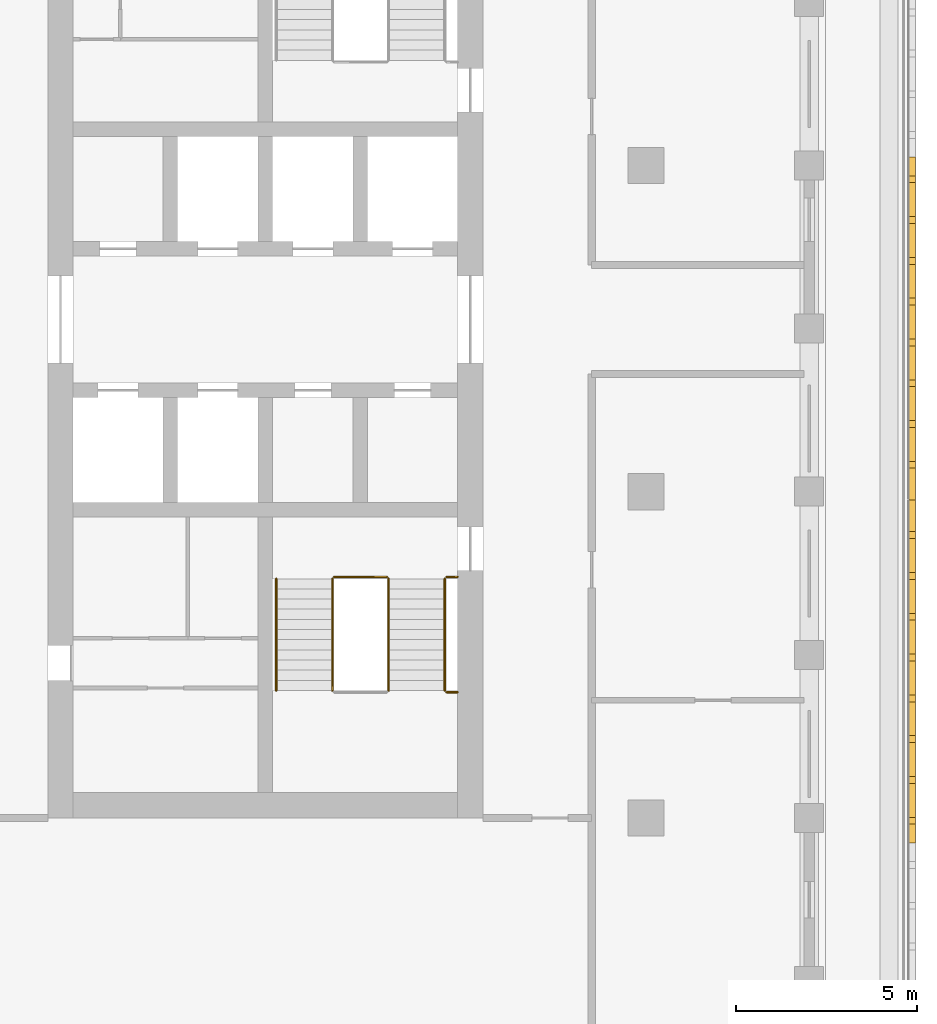
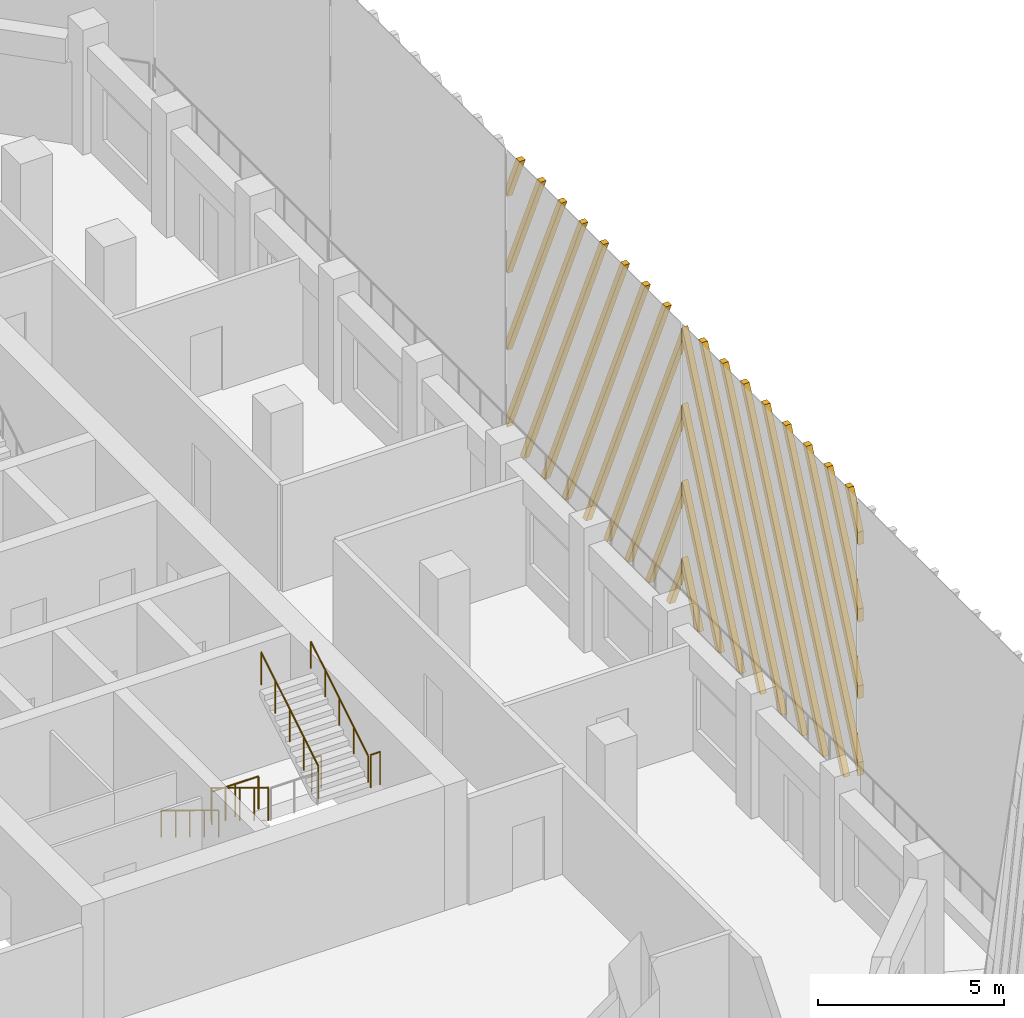
# One storey, part 12 of 17: 7 railings, 2 shading devices.
"""IFC4 building model written with IfcOpenShell, lengths in metres."""

from ifc_helpers import new_model, si_unit, direction, frame, origin, origin_2d, place, context, subcontext, project, spatial, polyline, circle, outline, extrude, source, transform, mapped, material, type_object, element, save


model = new_model("IFC4")

# Units and contexts
model_context = context("Model", 3, precision=1e-05, world=origin(), true_north=direction((0.0, 1.0)))
body_context = subcontext(model_context, "Body", "Model", "MODEL_VIEW")
ifc_project = project(units=[si_unit("LENGTHUNIT", "METRE"), si_unit("AREAUNIT", "SQUARE_METRE"), si_unit("VOLUMEUNIT", "CUBIC_METRE"), si_unit("PLANEANGLEUNIT", "RADIAN"), si_unit("MASSUNIT", "GRAM", prefix="KILO")], contexts=[model_context])

# Site, building, storey
site_placement = place(None, origin())
site = spatial("IfcSite", under=ifc_project, at=site_placement, CompositionType="ELEMENT")
building_placement = place(site_placement, origin())
building = spatial("IfcBuilding", under=site, at=building_placement, Name="Corbel Stack Research Tower", CompositionType="ELEMENT")
storey_placement = place(building_placement, frame((0.0, 0.0, 256.199951171875)))
storey = spatial("IfcBuildingStorey", under=building, at=storey_placement, Name="L58", CompositionType="ELEMENT", Elevation=256.199951171875)

# Railings
ifc_material_1 = material(Name="Steel S355", Category="steel")
railing_type_1 = type_object("IfcRailingType", Name="Stair guard 1100", PredefinedType="GUARDRAIL", material=ifc_material_1)
railing_1_placement = place(storey_placement, frame((13.85009765625, -2.39990234375, 0.1708984375)))
element("IfcRailing", 1, at=railing_1_placement, inside=storey, type_object=railing_type_1, Name="L58 ST-E1 stair guard 1", PredefinedType="GUARDRAIL", context=body_context, shape_type="SweptSolid", body=[
    extrude(circle(Radius=0.02392578125, at=origin_2d()), frame((0.0, 0.0, 1.076171875), z_axis=(0.0, -0.853666305674, 0.52082035152), x_axis=(1.0, 0.0, 0.0)), (0.0, 0.0, 1.0), 3.608154296875),
    extrude(circle(Radius=0.02099609375, at=origin_2d()), origin(), (0.0, 0.0, 1.0), 1.052001953125),
    extrude(circle(Radius=0.02099609375, at=origin_2d()), frame((0.0, -0.77001953125, 0.4697265625)), (0.0, 0.0, 1.0), 1.052001953125),
    extrude(circle(Radius=0.02099609375, at=origin_2d()), frame((0.0, -1.5400390625, 0.939453125)), (0.0, 0.0, 1.0), 1.052001953125),
    extrude(circle(Radius=0.02099609375, at=origin_2d()), frame((0.0, -2.31005859375, 1.409423828125)), (0.0, 0.0, 1.0), 1.052001953125),
    extrude(circle(Radius=0.02099609375, at=origin_2d()), frame((0.0, -3.080078125, 1.879150390625)), (0.0, 0.0, 1.0), 1.052001953125),
])
railing_2_placement = place(storey_placement, frame((17.0, -5.530029296875, 2.050048828125)))
element("IfcRailing", 2, at=railing_2_placement, inside=storey, type_object=railing_type_1, Name="L58 ST-E1 stair guard 3", PredefinedType="GUARDRAIL", context=body_context, shape_type="SweptSolid", body=[
    extrude(circle(Radius=0.02392578125, at=origin_2d()), frame((0.0, 0.0, 1.076171875), z_axis=(1.0, 0.0, 0.0), x_axis=(0.0, 1.0, 0.0)), (0.0, 0.0, 1.0), 0.300048828125),
    extrude(circle(Radius=0.02099609375, at=origin_2d()), origin(), (0.0, 0.0, 1.0), 1.052001953125),
    extrude(circle(Radius=0.02099609375, at=origin_2d()), frame((0.300048828125, 0.0, 0.0)), (0.0, 0.0, 1.0), 1.052001953125),
])
railing_3_placement = place(storey_placement, frame((15.39990234375, -5.47998046875, 2.220947265625)))
element("IfcRailing", 3, at=railing_3_placement, inside=storey, type_object=railing_type_1, Name="L58 ST-E1 stair guard 4", PredefinedType="GUARDRAIL", context=body_context, shape_type="SweptSolid", body=[
    extrude(circle(Radius=0.02392578125, at=origin_2d()), frame((0.0, 0.0, 1.076171875), z_axis=(0.0, 0.853666305674, 0.52082035152), x_axis=(-1.0, 0.0, 0.0)), (0.0, 0.0, 1.0), 3.608154296875),
    extrude(circle(Radius=0.02099609375, at=origin_2d()), origin(), (0.0, 0.0, 1.0), 1.052001953125),
    extrude(circle(Radius=0.02099609375, at=origin_2d()), frame((0.0, 0.77001953125, 0.4697265625)), (0.0, 0.0, 1.0), 1.052001953125),
    extrude(circle(Radius=0.02099609375, at=origin_2d()), frame((0.0, 1.5400390625, 0.939453125)), (0.0, 0.0, 1.0), 1.052001953125),
    extrude(circle(Radius=0.02099609375, at=origin_2d()), frame((0.0, 2.31005859375, 1.409423828125)), (0.0, 0.0, 1.0), 1.052001953125),
    extrude(circle(Radius=0.02099609375, at=origin_2d()), frame((0.0, 3.080078125, 1.879150390625)), (0.0, 0.0, 1.0), 1.052001953125),
])
railing_4_placement = place(storey_placement, frame((13.89990234375, -2.35009765625, 0.0)))
element("IfcRailing", 4, at=railing_4_placement, inside=storey, type_object=railing_type_1, Name="L58 ST-E1 stair guard 5", PredefinedType="GUARDRAIL", context=body_context, shape_type="SweptSolid", body=[
    extrude(circle(Radius=0.02392578125, at=origin_2d()), frame((0.0, 0.0, 1.076171875), z_axis=(1.0, 0.0, 0.0), x_axis=(0.0, 1.0, 0.0)), (0.0, 0.0, 1.0), 1.4501953125),
    extrude(circle(Radius=0.02099609375, at=origin_2d()), origin(), (0.0, 0.0, 1.0), 1.052001953125),
    extrude(circle(Radius=0.02099609375, at=origin_2d()), frame((0.72509765625, 0.0, 0.0)), (0.0, 0.0, 1.0), 1.052001953125),
    extrude(circle(Radius=0.02099609375, at=origin_2d()), frame((1.4501953125, 0.0, 0.0)), (0.0, 0.0, 1.0), 1.052001953125),
])
railing_5_placement = place(storey_placement, frame((17.0, -2.35009765625, 0.0)))
element("IfcRailing", 5, at=railing_5_placement, inside=storey, type_object=railing_type_1, Name="L58 ST-E1 stair guard 6", PredefinedType="GUARDRAIL", context=body_context, shape_type="SweptSolid", body=[
    extrude(circle(Radius=0.02392578125, at=origin_2d()), frame((0.0, 0.0, 1.076171875), z_axis=(1.0, 0.0, 0.0), x_axis=(0.0, 1.0, 0.0)), (0.0, 0.0, 1.0), 0.300048828125),
    extrude(circle(Radius=0.02099609375, at=origin_2d()), origin(), (0.0, 0.0, 1.0), 1.052001953125),
    extrude(circle(Radius=0.02099609375, at=origin_2d()), frame((0.300048828125, 0.0, 0.0)), (0.0, 0.0, 1.0), 1.052001953125),
])
ifc_material_2 = material(Name="Steel S355", Category="steel")
railing_type_2 = type_object("IfcRailingType", Name="Stair handrail 900", PredefinedType="HANDRAIL", material=ifc_material_2)
railing_6_placement = place(storey_placement, frame((12.300048828125, -2.39990234375, 0.1708984375)))
element("IfcRailing", 6, at=railing_6_placement, inside=storey, type_object=railing_type_2, Name="L58 ST-E1 stair handrail 1", PredefinedType="HANDRAIL", context=body_context, shape_type="SweptSolid", body=[
    extrude(circle(Radius=0.02392578125, at=origin_2d()), frame((0.0, 0.0, 0.8759765625), z_axis=(0.0, -0.853666305674, 0.52082035152), x_axis=(1.0, 0.0, 0.0)), (0.0, 0.0, 1.0), 3.608154296875),
    extrude(circle(Radius=0.02099609375, at=origin_2d()), origin(), (0.0, 0.0, 1.0), 0.851806640625),
    extrude(circle(Radius=0.02099609375, at=origin_2d()), frame((0.0, -0.77001953125, 0.4697265625)), (0.0, 0.0, 1.0), 0.851806640625),
    extrude(circle(Radius=0.02099609375, at=origin_2d()), frame((0.0, -1.5400390625, 0.939453125)), (0.0, 0.0, 1.0), 0.851806640625),
    extrude(circle(Radius=0.02099609375, at=origin_2d()), frame((0.0, -2.31005859375, 1.409423828125)), (0.0, 0.0, 1.0), 0.851806640625),
    extrude(circle(Radius=0.02099609375, at=origin_2d()), frame((0.0, -3.080078125, 1.879150390625)), (0.0, 0.0, 1.0), 0.851806640625),
])
railing_7_placement = place(storey_placement, frame((16.949951171875, -5.47998046875, 2.220947265625)))
element("IfcRailing", 7, at=railing_7_placement, inside=storey, type_object=railing_type_2, Name="L58 ST-E1 stair handrail 2", PredefinedType="HANDRAIL", context=body_context, shape_type="SweptSolid", body=[
    extrude(circle(Radius=0.02392578125, at=origin_2d()), frame((0.0, 0.0, 0.8759765625), z_axis=(0.0, 0.853666305674, 0.52082035152), x_axis=(-1.0, 0.0, 0.0)), (0.0, 0.0, 1.0), 3.608154296875),
    extrude(circle(Radius=0.02099609375, at=origin_2d()), origin(), (0.0, 0.0, 1.0), 0.851806640625),
    extrude(circle(Radius=0.02099609375, at=origin_2d()), frame((0.0, 0.77001953125, 0.4697265625)), (0.0, 0.0, 1.0), 0.851806640625),
    extrude(circle(Radius=0.02099609375, at=origin_2d()), frame((0.0, 1.5400390625, 0.939453125)), (0.0, 0.0, 1.0), 0.851806640625),
    extrude(circle(Radius=0.02099609375, at=origin_2d()), frame((0.0, 2.31005859375, 1.409423828125)), (0.0, 0.0, 1.0), 0.851806640625),
    extrude(circle(Radius=0.02099609375, at=origin_2d()), frame((0.0, 3.080078125, 1.879150390625)), (0.0, 0.0, 1.0), 0.851806640625),
])

# Shading devices
ifc_material_3 = material(Name="Precast terracotta", Category="masonry")
shading_device_type = type_object("IfcShadingDeviceType", Name="Terracotta screen panel", PredefinedType="USERDEFINED", material=ifc_material_3)
shared_shape_1 = source(origin(), body_context, "Body", "SweptSolid", [
    extrude(outline(polyline([(0.862060546875, 0.0), (0.0, 1.936279296875), (0.0, 1.509521484375), (0.672119140625, 0.0), (0.862060546875, 0.0)])), frame((0.0, 0.0, 0.0), z_axis=(0.0, -1.0, 0.0), x_axis=(1.0, 0.0, 0.0)), (0.0, 0.0, 1.0), 0.179931640625),
    extrude(outline(polyline([(1.987060546875, 0.0), (0.0, 4.463134765625), (0.0, 4.036376953125), (1.797119140625, 0.0), (1.987060546875, 0.0)])), frame((0.0, 0.0, 0.0), z_axis=(0.0, -1.0, 0.0), x_axis=(1.0, 0.0, 0.0)), (0.0, 0.0, 1.0), 0.179931640625),
    extrude(outline(polyline([(3.112060546875, 0.0), (0.0, 6.989990234375), (0.0, 6.563232421875), (2.922119140625, 0.0), (3.112060546875, 0.0)])), frame((0.0, 0.0, 0.0), z_axis=(0.0, -1.0, 0.0), x_axis=(1.0, 0.0, 0.0)), (0.0, 0.0, 1.0), 0.179931640625),
    extrude(outline(polyline([(4.237060546875, 0.0), (0.0, 9.516845703125), (0.0, 9.090087890625), (4.047119140625, 0.0), (4.237060546875, 0.0)])), frame((0.0, 0.0, 0.0), z_axis=(0.0, -1.0, 0.0), x_axis=(1.0, 0.0, 0.0)), (0.0, 0.0, 1.0), 0.179931640625),
    extrude(outline(polyline([(5.362060546875, 0.0), (1.065673828125, 9.64990234375), (0.875732421875, 9.64990234375), (5.172119140625, 0.0), (5.362060546875, 0.0)])), frame((0.0, 0.0, 0.0), z_axis=(0.0, -1.0, 0.0), x_axis=(1.0, 0.0, 0.0)), (0.0, 0.0, 1.0), 0.179931640625),
    extrude(outline(polyline([(6.487060546875, 0.0), (2.190673828125, 9.64990234375), (2.000732421875, 9.64990234375), (6.297119140625, 0.0), (6.487060546875, 0.0)])), frame((0.0, 0.0, 0.0), z_axis=(0.0, -1.0, 0.0), x_axis=(1.0, 0.0, 0.0)), (0.0, 0.0, 1.0), 0.179931640625),
    extrude(outline(polyline([(7.612060546875, 0.0), (3.315673828125, 9.64990234375), (3.125732421875, 9.64990234375), (7.422119140625, 0.0), (7.612060546875, 0.0)])), frame((0.0, 0.0, 0.0), z_axis=(0.0, -1.0, 0.0), x_axis=(1.0, 0.0, 0.0)), (0.0, 0.0, 1.0), 0.179931640625),
    extrude(outline(polyline([(8.737060546875, 0.0), (4.440673828125, 9.64990234375), (4.250732421875, 9.64990234375), (8.547119140625, 0.0), (8.737060546875, 0.0)])), frame((0.0, 0.0, 0.0), z_axis=(0.0, -1.0, 0.0), x_axis=(1.0, 0.0, 0.0)), (0.0, 0.0, 1.0), 0.179931640625),
    extrude(outline(polyline([(5.565673828125, 9.64990234375), (5.375732421875, 9.64990234375), (9.45556640625, 0.486328125), (9.45556640625, 0.9130859375), (5.565673828125, 9.64990234375)])), frame((0.0, 0.0, 0.0), z_axis=(0.0, -1.0, 0.0), x_axis=(1.0, 0.0, 0.0)), (0.0, 0.0, 1.0), 0.179931640625),
    extrude(outline(polyline([(6.690673828125, 9.64990234375), (6.500732421875, 9.64990234375), (9.45556640625, 3.01318359375), (9.45556640625, 3.439697265625), (6.690673828125, 9.64990234375)])), frame((0.0, 0.0, 0.0), z_axis=(0.0, -1.0, 0.0), x_axis=(1.0, 0.0, 0.0)), (0.0, 0.0, 1.0), 0.179931640625),
    extrude(outline(polyline([(7.815673828125, 9.64990234375), (7.625732421875, 9.64990234375), (9.45556640625, 5.539794921875), (9.45556640625, 5.966552734375), (7.815673828125, 9.64990234375)])), frame((0.0, 0.0, 0.0), z_axis=(0.0, -1.0, 0.0), x_axis=(1.0, 0.0, 0.0)), (0.0, 0.0, 1.0), 0.179931640625),
    extrude(outline(polyline([(8.940673828125, 9.64990234375), (8.750732421875, 9.64990234375), (9.45556640625, 8.066650390625), (9.45556640625, 8.493408203125), (8.940673828125, 9.64990234375)])), frame((0.0, 0.0, 0.0), z_axis=(0.0, -1.0, 0.0), x_axis=(1.0, 0.0, 0.0)), (0.0, 0.0, 1.0), 0.179931640625),
])
shading_device_1_placement = place(storey_placement, frame((29.75, -0.227783203125, 0.0), z_axis=(0.0, 0.0, 1.0), x_axis=(0.0, 1.0, 0.0)))
element("IfcShadingDevice", 8, at=shading_device_1_placement, inside=storey, type_object=shading_device_type, Name="Terracotta screen L58 E3", ObjectType="SCREEN", PredefinedType="USERDEFINED", context=body_context, shape_type="MappedRepresentation", body=[
    mapped(shared_shape_1, transform((0.0, 0.0, 0.0))),
])
shared_shape_2 = source(origin(), body_context, "Body", "SweptSolid", [
    extrude(outline(polyline([(0.705078125, 9.64990234375), (0.514892578125, 9.64990234375), (0.0, 8.493408203125), (0.0, 8.066650390625), (0.705078125, 9.64990234375)])), frame((0.0, 0.0, 0.0), z_axis=(0.0, -1.0, 0.0), x_axis=(1.0, 0.0, 0.0)), (0.0, 0.0, 1.0), 0.179931640625),
    extrude(outline(polyline([(1.830078125, 9.64990234375), (1.639892578125, 9.64990234375), (0.0, 5.966552734375), (0.0, 5.539794921875), (1.830078125, 9.64990234375)])), frame((0.0, 0.0, 0.0), z_axis=(0.0, -1.0, 0.0), x_axis=(1.0, 0.0, 0.0)), (0.0, 0.0, 1.0), 0.179931640625),
    extrude(outline(polyline([(2.955078125, 9.64990234375), (2.764892578125, 9.64990234375), (0.0, 3.439697265625), (0.0, 3.01318359375), (2.955078125, 9.64990234375)])), frame((0.0, 0.0, 0.0), z_axis=(0.0, -1.0, 0.0), x_axis=(1.0, 0.0, 0.0)), (0.0, 0.0, 1.0), 0.179931640625),
    extrude(outline(polyline([(4.080078125, 9.64990234375), (3.889892578125, 9.64990234375), (0.0, 0.9130859375), (0.0, 0.486328125), (4.080078125, 9.64990234375)])), frame((0.0, 0.0, 0.0), z_axis=(0.0, -1.0, 0.0), x_axis=(1.0, 0.0, 0.0)), (0.0, 0.0, 1.0), 0.179931640625),
    extrude(outline(polyline([(0.908447265625, 0.0), (5.205078125, 9.64990234375), (5.014892578125, 9.64990234375), (0.718505859375, 0.0), (0.908447265625, 0.0)])), frame((0.0, 0.0, 0.0), z_axis=(0.0, -1.0, 0.0), x_axis=(1.0, 0.0, 0.0)), (0.0, 0.0, 1.0), 0.179931640625),
    extrude(outline(polyline([(2.033447265625, 0.0), (6.330078125, 9.64990234375), (6.139892578125, 9.64990234375), (1.843505859375, 0.0), (2.033447265625, 0.0)])), frame((0.0, 0.0, 0.0), z_axis=(0.0, -1.0, 0.0), x_axis=(1.0, 0.0, 0.0)), (0.0, 0.0, 1.0), 0.179931640625),
    extrude(outline(polyline([(3.158447265625, 0.0), (7.455078125, 9.64990234375), (7.264892578125, 9.64990234375), (2.968505859375, 0.0), (3.158447265625, 0.0)])), frame((0.0, 0.0, 0.0), z_axis=(0.0, -1.0, 0.0), x_axis=(1.0, 0.0, 0.0)), (0.0, 0.0, 1.0), 0.179931640625),
    extrude(outline(polyline([(4.283447265625, 0.0), (8.580078125, 9.64990234375), (8.389892578125, 9.64990234375), (4.093505859375, 0.0), (4.283447265625, 0.0)])), frame((0.0, 0.0, 0.0), z_axis=(0.0, -1.0, 0.0), x_axis=(1.0, 0.0, 0.0)), (0.0, 0.0, 1.0), 0.179931640625),
    extrude(outline(polyline([(5.408447265625, 0.0), (9.45556640625, 9.090087890625), (9.45556640625, 9.516845703125), (5.218505859375, 0.0), (5.408447265625, 0.0)])), frame((0.0, 0.0, 0.0), z_axis=(0.0, -1.0, 0.0), x_axis=(1.0, 0.0, 0.0)), (0.0, 0.0, 1.0), 0.179931640625),
    extrude(outline(polyline([(6.533447265625, 0.0), (9.45556640625, 6.563232421875), (9.45556640625, 6.989990234375), (6.343505859375, 0.0), (6.533447265625, 0.0)])), frame((0.0, 0.0, 0.0), z_axis=(0.0, -1.0, 0.0), x_axis=(1.0, 0.0, 0.0)), (0.0, 0.0, 1.0), 0.179931640625),
    extrude(outline(polyline([(7.658447265625, 0.0), (9.45556640625, 4.036376953125), (9.45556640625, 4.463134765625), (7.468505859375, 0.0), (7.658447265625, 0.0)])), frame((0.0, 0.0, 0.0), z_axis=(0.0, -1.0, 0.0), x_axis=(1.0, 0.0, 0.0)), (0.0, 0.0, 1.0), 0.179931640625),
    extrude(outline(polyline([(8.783447265625, 0.0), (9.45556640625, 1.509521484375), (9.45556640625, 1.936279296875), (8.593505859375, 0.0), (8.783447265625, 0.0)])), frame((0.0, 0.0, 0.0), z_axis=(0.0, -1.0, 0.0), x_axis=(1.0, 0.0, 0.0)), (0.0, 0.0, 1.0), 0.179931640625),
])
shading_device_2_placement = place(storey_placement, frame((29.75, -9.68359375, 0.0), z_axis=(0.0, 0.0, 1.0), x_axis=(0.0, 1.0, 0.0)))
element("IfcShadingDevice", 9, at=shading_device_2_placement, inside=storey, type_object=shading_device_type, Name="Terracotta screen L58 E2", ObjectType="SCREEN", PredefinedType="USERDEFINED", context=body_context, shape_type="MappedRepresentation", body=[
    mapped(shared_shape_2, transform((0.0, 0.0, 0.0))),
])

save(model, "model.ifc")
